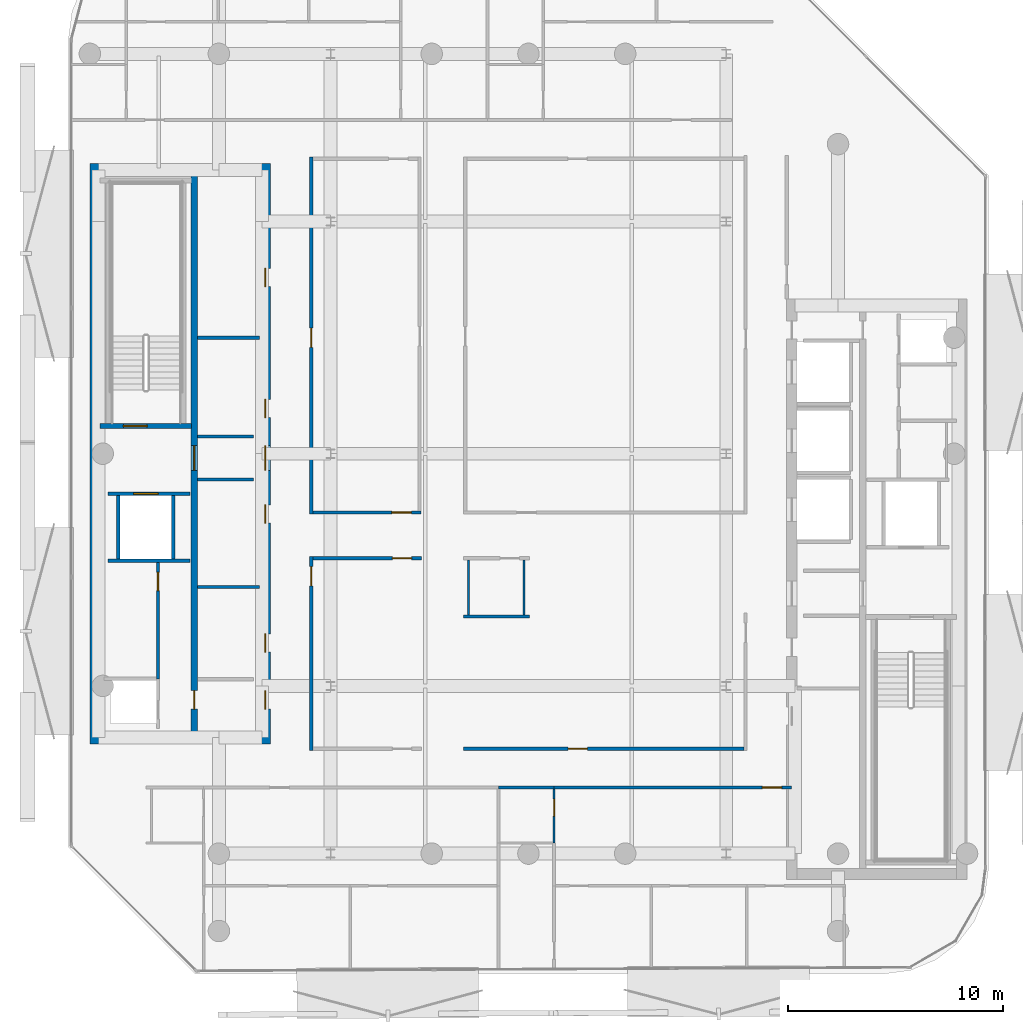
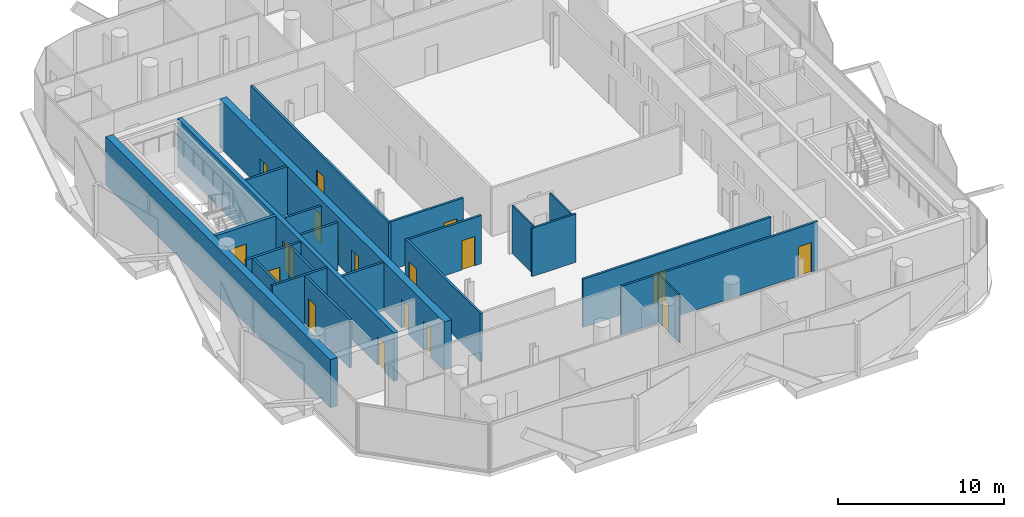
# One storey, part 5 of 15: 24 walls, 18 doors, 18 openings.
"""IFC4 building model written with IfcOpenShell, lengths in metres."""

from ifc_helpers import new_model, si_unit, direction, frame, frame_2d, origin, place, context, subcontext, project, spatial, rectangle, extrude, material, layer, layer_set, type_object, element, fill, save


model = new_model("IFC4")

# Units and contexts
model_context = context("Model", 3, precision=1e-05, world=origin(), true_north=direction((0.0, 1.0)))
body_context = subcontext(model_context, "Body", "Model", "MODEL_VIEW")
ifc_project = project(units=[si_unit("LENGTHUNIT", "METRE"), si_unit("AREAUNIT", "SQUARE_METRE"), si_unit("VOLUMEUNIT", "CUBIC_METRE"), si_unit("PLANEANGLEUNIT", "RADIAN"), si_unit("MASSUNIT", "GRAM", prefix="KILO")], contexts=[model_context])

# Site, building, storey
site_placement = place(None, origin())
site = spatial("IfcSite", under=ifc_project, at=site_placement, CompositionType="ELEMENT")
building_placement = place(site_placement, origin())
building = spatial("IfcBuilding", under=site, at=building_placement, Name="Khairoan Windgate Tower", CompositionType="ELEMENT")
storey_placement = place(building_placement, frame((0.0, 0.0, 285.199951171875)))
storey = spatial("IfcBuildingStorey", under=building, at=storey_placement, Name="L68", CompositionType="ELEMENT", Elevation=285.199951171875)

# Wall, opening, door
ifc_material_1 = material(Name="Moisture-Resistant Gypsum Partition", Category="gypsum")
ifc_layer_1 = layer(ifc_material_1, 0.10009765625, Name="Moisture-Resistant Gypsum Partition")
ifc_layer_set_1 = layer_set([ifc_layer_1], Name="Moisture-Resistant Gypsum Partition")
wall_type_1 = type_object("IfcWallType", Name="Bathroom Wet-Area Partition Wall", PredefinedType="PARTITIONING", material=ifc_layer_set_1)
wall_1_placement = place(storey_placement, frame((1.18994140625, -18.10009765625, 0.0), z_axis=(0.0, 0.0, 1.0), x_axis=(0.0, 1.0, 0.0)))
wall_1 = element("IfcWall", 1, at=wall_1_placement, inside=storey, type_object=wall_type_1, Name="L68 Interior Partition 067", PredefinedType="PARTITIONING", context=body_context, shape_type="SweptSolid", body=[
    extrude(rectangle(XDim=2.5, YDim=0.10009765625, at=frame_2d((1.25, 0.0))), origin(), (0.0, 0.0, 1.0), 3.5400390625),
])
opening_1_placement = place(wall_1_placement, frame((1.239990234375, 0.0, 0.0)))
opening_1 = element("IfcOpeningElement", 2, at=opening_1_placement, cuts=wall_1, Name="Opening ID-BTH", PredefinedType="OPENING", context=body_context, shape_type="SweptSolid", body=[
    extrude(rectangle(XDim=0.800048828125, YDim=2.10009765625, at=frame_2d((0.39990234375, 1.050048828125))), frame((0.0, 0.06005859375, 0.0), z_axis=(0.0, -1.0, 0.0), x_axis=(1.0, 0.0, 0.0)), (0.0, 0.0, 1.0), 0.1201171875),
])
ifc_material_2 = material(Name="Teak Veneer Timber Leaf", Category="wood")
door_type_1 = type_object("IfcDoorType", Name="Internal Bathroom Door ID-BTH 800x2100", OperationType="NOTDEFINED", PredefinedType="DOOR", material=ifc_material_2)
door_1_placement = place(opening_1_placement, origin())
door_1 = element("IfcDoor", 3, at=door_1_placement, inside=storey, type_object=door_type_1, Name="L68 L68-50-L68-52 Door", OperationType="SINGLE_SWING_RIGHT", OverallHeight=2.10009765625, OverallWidth=0.800048828125, PredefinedType="DOOR", context=body_context, shape_type="SweptSolid", body=[
    extrude(rectangle(XDim=0.800048828125, YDim=2.10009765625, at=frame_2d((0.39990234375, 1.050048828125))), frame((0.0, 0.02490234375, 0.0), z_axis=(0.0, -1.0, 0.0), x_axis=(1.0, 0.0, 0.0)), (0.0, 0.0, 1.0), 0.050048828125),
])
fill(opening_1, door_1)

# Walls
for number, where, z_axis, x_axis, name in (
    (4, (-0.199951171875, -4.93994140625, 0.0), (0.0, 0.0, 1.0), (0.0, -1.0, 0.0), "L68 Wet Room Side Wall 079"),
    (5, (-2.7900390625, -7.510009765625, 0.0), (0.0, 0.0, 1.0), (0.0, 1.0, 0.0), "L68 Wet Room Side Wall 080"),
):
    element("IfcWall", number, at=place(storey_placement, frame(where, z_axis=z_axis, x_axis=x_axis)), inside=storey, type_object=wall_type_1, Name=name, PredefinedType="PARTITIONING", context=body_context, shape_type="SweptSolid", body=[
        extrude(rectangle(XDim=2.570068359375, YDim=0.10009765625, at=frame_2d((1.28515625, 0.0))), origin(), (0.0, 0.0, 1.0), 3.5400390625),
    ])

# Wall, opening, door
ifc_material_3 = material(Name="Concrete C40/50", Category="concrete")
ifc_layer_2 = layer(ifc_material_3, 0.159912109375, Name="Concrete C40/50")
ifc_layer_set_2 = layer_set([ifc_layer_2], Name="Concrete C40/50")
wall_type_2 = type_object("IfcWallType", Name="Core and Hoistway Enclosure Wall", PredefinedType="STANDARD", material=ifc_layer_set_2)
wall_2_placement = place(storey_placement, frame((-19.550048828125, -1.860107421875, 0.0), z_axis=(0.0, 0.0, 1.0), x_axis=(1.0, 0.0, 0.0)))
wall_2 = element("IfcWall", 6, at=wall_2_placement, inside=storey, type_object=wall_type_2, Name="L68 Core Shaft Wall SW-FL2-L68", PredefinedType="STANDARD", context=body_context, shape_type="SweptSolid", body=[
    extrude(rectangle(XDim=3.800048828125, YDim=0.159912109375, at=frame_2d((1.89990234375, 0.0))), origin(), (0.0, 0.0, 1.0), 3.5400390625),
])
opening_2_placement = place(wall_2_placement, frame((1.179931640625, 0.0, 0.0)))
opening_2 = element("IfcOpeningElement", 7, at=opening_2_placement, cuts=wall_2, Name="Opening LD-FL", PredefinedType="OPENING", context=body_context, shape_type="SweptSolid", body=[
    extrude(rectangle(XDim=1.14990234375, YDim=2.199951171875, at=frame_2d((0.574951171875, 1.10009765625))), frame((0.0, 0.08984375, 0.0), z_axis=(0.0, -1.0, 0.0), x_axis=(1.0, 0.0, 0.0)), (0.0, 0.0, 1.0), 0.179931640625),
])
ifc_material_4 = material(Name="Steel S355", Category="steel")
door_type_2 = type_object("IfcDoorType", Name="Firefighting Lift Sliding Landing Door LD-FL 1150x2200", OperationType="DOUBLE_DOOR_SLIDING", PredefinedType="DOOR", material=ifc_material_4)
door_2_placement = place(opening_2_placement, origin())
door_2 = element("IfcDoor", 8, at=door_2_placement, inside=storey, type_object=door_type_2, Name="L68 Firefighting Lift FL2 Landing Door", OperationType="DOUBLE_DOOR_SLIDING", OverallHeight=2.199951171875, OverallWidth=1.14990234375, PredefinedType="DOOR", context=body_context, shape_type="SweptSolid", body=[
    extrude(rectangle(XDim=1.14990234375, YDim=2.199951171875, at=frame_2d((0.574951171875, 1.10009765625))), frame((0.0, 0.02490234375, 0.0), z_axis=(0.0, -1.0, 0.0), x_axis=(1.0, 0.0, 0.0)), (0.0, 0.0, 1.0), 0.050048828125),
])
fill(opening_2, door_2)

# Walls
wall_3_placement = place(storey_placement, frame((-19.550048828125, -4.97998046875, 0.0), z_axis=(0.0, 0.0, 1.0), x_axis=(1.0, 0.0, 0.0)))
element("IfcWall", 9, at=wall_3_placement, inside=storey, type_object=wall_type_2, Name="L68 Core Shaft Wall SW-FL2B-L68", PredefinedType="STANDARD", context=body_context, shape_type="SweptSolid", body=[
    extrude(rectangle(XDim=3.800048828125, YDim=0.159912109375, at=frame_2d((1.89990234375, 0.0))), origin(), (0.0, 0.0, 1.0), 3.5400390625),
])
for number, where, z_axis, x_axis, name in (
    (10, (-19.080078125, -4.89990234375, 0.0), (0.0, 0.0, 1.0), (0.0, 1.0, 0.0), "L68 Core Shaft Wall SW-FL2W-L68"),
    (11, (-16.52001953125, -4.89990234375, 0.0), (0.0, 0.0, 1.0), (0.0, 1.0, 0.0), "L68 Core Shaft Wall SW-FL2E-L68"),
):
    element("IfcWall", number, at=place(storey_placement, frame(where, z_axis=z_axis, x_axis=x_axis)), inside=storey, type_object=wall_type_2, Name=name, PredefinedType="STANDARD", context=body_context, shape_type="SweptSolid", body=[
        extrude(rectangle(XDim=2.9599609375, YDim=0.159912109375, at=frame_2d((1.47998046875, 0.0))), origin(), (0.0, 0.0, 1.0), 3.5400390625),
    ])
for number, where, z_axis, x_axis, name in (
    (12, (-15.39990234375, 0.800048828125, 0.0), (0.0, 0.0, 1.0), (1.0, 0.0, 0.0), "L68 Core Shaft Wall SW-WV1-L68"),
    (13, (-15.39990234375, -1.199951171875, 0.0), (0.0, 0.0, 1.0), (1.0, 0.0, 0.0), "L68 Core Shaft Wall SW-WV2-L68"),
):
    element("IfcWall", number, at=place(storey_placement, frame(where, z_axis=z_axis, x_axis=x_axis)), inside=storey, type_object=wall_type_2, Name=name, PredefinedType="STANDARD", context=body_context, shape_type="SweptSolid", body=[
        extrude(rectangle(XDim=2.599853515625, YDim=0.159912109375, at=frame_2d((1.2998046875, 0.0))), origin(), (0.0, 0.0, 1.0), 3.5400390625),
    ])
ifc_material_5 = material(Name="Acoustic Fire-Rated Gypsum Partition", Category="gypsum")
ifc_layer_3 = layer(ifc_material_5, 0.139892578125, Name="Acoustic Fire-Rated Gypsum Partition")
ifc_layer_set_3 = layer_set([ifc_layer_3], Name="Acoustic Fire-Rated Gypsum Partition")
wall_type_3 = type_object("IfcWallType", Name="Inter-Tenancy Compartment Wall", PredefinedType="PARTITIONING", material=ifc_layer_set_3)
wall_4_placement = place(storey_placement, frame((-3.030029296875, -7.580078125, 0.0), z_axis=(0.0, 0.0, 1.0), x_axis=(1.0, 0.0, 0.0)))
element("IfcWall", 14, at=wall_4_placement, inside=storey, type_object=wall_type_3, Name="L68 Interior Partition 076", PredefinedType="PARTITIONING", context=body_context, shape_type="SweptSolid", body=[
    extrude(rectangle(XDim=3.070068359375, YDim=0.139892578125, at=frame_2d((1.53515625, 0.0))), origin(), (0.0, 0.0, 1.0), 3.5400390625),
])

# Wall, opening, door
ifc_material_6 = material(Name="Concrete C40/50", Category="concrete")
ifc_layer_4 = layer(ifc_material_6, 0.159912109375, Name="Concrete C40/50")
ifc_layer_set_4 = layer_set([ifc_layer_4], Name="Concrete C40/50")
wall_type_4 = type_object("IfcWallType", Name="Plant and Refuge Compartment Wall", PredefinedType="PARTITIONING", material=ifc_layer_set_4)
wall_5_placement = place(storey_placement, frame((-17.22998046875, -10.469970703125, 0.0), z_axis=(0.0, 0.0, 1.0), x_axis=(0.0, 1.0, 0.0)))
wall_5 = element("IfcWall", 15, at=wall_5_placement, inside=storey, type_object=wall_type_4, Name="L68 Interior Partition 002", PredefinedType="PARTITIONING", context=body_context, shape_type="SweptSolid", body=[
    extrude(rectangle(XDim=5.409912109375, YDim=0.159912109375, at=frame_2d((2.705078125, 0.0))), origin(), (0.0, 0.0, 1.0), 3.5400390625),
])
opening_3_placement = place(wall_5_placement, frame((4.10009765625, 0.0, 0.0)))
opening_3 = element("IfcOpeningElement", 16, at=opening_3_placement, cuts=wall_5, Name="Opening FD-SRV", PredefinedType="OPENING", context=body_context, shape_type="SweptSolid", body=[
    extrude(rectangle(XDim=0.85009765625, YDim=2.10009765625, at=frame_2d((0.425048828125, 1.050048828125))), frame((0.0, 0.08984375, 0.0), z_axis=(0.0, -1.0, 0.0), x_axis=(1.0, 0.0, 0.0)), (0.0, 0.0, 1.0), 0.179931640625),
])
ifc_material_7 = material(Name="Steel S355", Category="steel")
door_type_3 = type_object("IfcDoorType", Name="Core Service and Riser Fire Door FD-SRV 850x2100", OperationType="NOTDEFINED", PredefinedType="DOOR", material=ifc_material_7)
door_3_placement = place(opening_3_placement, origin())
door_3 = element("IfcDoor", 17, at=door_3_placement, inside=storey, type_object=door_type_3, Name="L68 L68-04-L68-06 Door", OperationType="SINGLE_SWING_LEFT", OverallHeight=2.10009765625, OverallWidth=0.85009765625, PredefinedType="DOOR", context=body_context, shape_type="SweptSolid", body=[
    extrude(rectangle(XDim=0.85009765625, YDim=2.10009765625, at=frame_2d((0.425048828125, 1.050048828125))), frame((0.0, 0.02490234375, 0.0), z_axis=(0.0, -1.0, 0.0), x_axis=(1.0, 0.0, 0.0)), (0.0, 0.0, 1.0), 0.050048828125),
])
fill(opening_3, door_3)

# Walls
for number, where, z_axis, x_axis, name in (
    (18, (-15.39990234375, 5.39990234375, 0.0), (0.0, 0.0, 1.0), (1.0, 0.0, 0.0), "L68 Interior Partition 004"),
    (19, (-15.39990234375, -6.199951171875, 0.0), (0.0, 0.0, 1.0), (1.0, 0.0, 0.0), "L68 Interior Partition 005"),
):
    element("IfcWall", number, at=place(storey_placement, frame(where, z_axis=z_axis, x_axis=x_axis)), inside=storey, type_object=wall_type_4, Name=name, PredefinedType="PARTITIONING", context=body_context, shape_type="SweptSolid", body=[
        extrude(rectangle(XDim=2.89990234375, YDim=0.159912109375, at=frame_2d((1.449951171875, 0.0))), origin(), (0.0, 0.0, 1.0), 3.5400390625),
    ])

# Wall, opening, door
ifc_material_8 = material(Name="Acoustic Fire-Rated Gypsum Partition", Category="gypsum")
ifc_layer_5 = layer(ifc_material_8, 0.14990234375, Name="Acoustic Fire-Rated Gypsum Partition")
ifc_layer_set_5 = layer_set([ifc_layer_5], Name="Acoustic Fire-Rated Gypsum Partition")
wall_type_5 = type_object("IfcWallType", Name="Rated Corridor Partition Wall", PredefinedType="PARTITIONING", material=ifc_layer_set_5)
wall_6_placement = place(storey_placement, frame((-10.10009765625, -2.81005859375, 0.0), z_axis=(0.0, 0.0, 1.0), x_axis=(0.0, 1.0, 0.0)))
wall_6 = element("IfcWall", 20, at=wall_6_placement, inside=storey, type_object=wall_type_5, Name="L68 Interior Partition 012", PredefinedType="PARTITIONING", context=body_context, shape_type="SweptSolid", body=[
    extrude(rectangle(XDim=16.60498046875, YDim=0.14990234375, at=frame_2d((8.302490234375, 0.0))), origin(), (0.0, 0.0, 1.0), 3.5400390625),
])
opening_4_placement = place(wall_6_placement, frame((7.751220703125, 0.0, 0.0)))
opening_4 = element("IfcOpeningElement", 21, at=opening_4_placement, cuts=wall_6, Name="Opening FD-ENT", PredefinedType="OPENING", context=body_context, shape_type="SweptSolid", body=[
    extrude(rectangle(XDim=0.89990234375, YDim=2.14990234375, at=frame_2d((0.449951171875, 1.074951171875))), frame((0.0, 0.0849609375, 0.0), z_axis=(0.0, -1.0, 0.0), x_axis=(1.0, 0.0, 0.0)), (0.0, 0.0, 1.0), 0.169921875),
])
ifc_material_9 = material(Name="Timber Fire-Rated Core", Category="wood")
door_type_4 = type_object("IfcDoorType", Name="Unit and Office Fire Entrance Door FD-ENT 900x2150", OperationType="NOTDEFINED", PredefinedType="DOOR", material=ifc_material_9)
door_4_placement = place(opening_4_placement, origin())
door_4 = element("IfcDoor", 22, at=door_4_placement, inside=storey, type_object=door_type_4, Name="L68 L68-27-L68-58 Door", OperationType="SINGLE_SWING_LEFT", OverallHeight=2.14990234375, OverallWidth=0.89990234375, PredefinedType="DOOR", context=body_context, shape_type="SweptSolid", body=[
    extrude(rectangle(XDim=0.89990234375, YDim=2.14990234375, at=frame_2d((0.449951171875, 1.074951171875))), frame((0.0, 0.02490234375, 0.0), z_axis=(0.0, -1.0, 0.0), x_axis=(1.0, 0.0, 0.0)), (0.0, 0.0, 1.0), 0.050048828125),
])
fill(opening_4, door_4)

wall_7_placement = place(storey_placement, frame((-10.10009765625, -13.794921875, 0.0), z_axis=(0.0, 0.0, 1.0), x_axis=(0.0, 1.0, 0.0)))
wall_7 = element("IfcWall", 23, at=wall_7_placement, inside=storey, type_object=wall_type_5, Name="L68 Interior Partition 013", PredefinedType="PARTITIONING", context=body_context, shape_type="SweptSolid", body=[
    extrude(rectangle(XDim=9.0048828125, YDim=0.14990234375, at=frame_2d((4.50244140625, 0.0))), origin(), (0.0, 0.0, 1.0), 3.5400390625),
])
opening_5_placement = place(wall_7_placement, frame((7.64501953125, 0.0, 0.0)))
opening_5 = element("IfcOpeningElement", 24, at=opening_5_placement, cuts=wall_7, Name="Opening FD-ENT", PredefinedType="OPENING", context=body_context, shape_type="SweptSolid", body=[
    extrude(rectangle(XDim=0.89990234375, YDim=2.14990234375, at=frame_2d((0.449951171875, 1.074951171875))), frame((0.0, 0.0849609375, 0.0), z_axis=(0.0, -1.0, 0.0), x_axis=(1.0, 0.0, 0.0)), (0.0, 0.0, 1.0), 0.169921875),
])
door_5_placement = place(opening_5_placement, origin())
door_5 = element("IfcDoor", 25, at=door_5_placement, inside=storey, type_object=door_type_4, Name="L68 L68-27-L68-59 Door", OperationType="SINGLE_SWING_RIGHT", OverallHeight=2.14990234375, OverallWidth=0.89990234375, PredefinedType="DOOR", context=body_context, shape_type="SweptSolid", body=[
    extrude(rectangle(XDim=0.89990234375, YDim=2.14990234375, at=frame_2d((0.449951171875, 1.074951171875))), frame((0.0, 0.02490234375, 0.0), z_axis=(0.0, -1.0, 0.0), x_axis=(1.0, 0.0, 0.0)), (0.0, 0.0, 1.0), 0.050048828125),
])
fill(opening_5, door_5)

wall_8_placement = place(storey_placement, frame((-10.02490234375, -2.735107421875, 0.0), z_axis=(0.0, 0.0, 1.0), x_axis=(1.0, 0.0, 0.0)))
wall_8 = element("IfcWall", 26, at=wall_8_placement, inside=storey, type_object=wall_type_5, Name="L68 Interior Partition 017", PredefinedType="PARTITIONING", context=body_context, shape_type="SweptSolid", body=[
    extrude(rectangle(XDim=5.034912109375, YDim=0.14990234375, at=frame_2d((2.517578125, 0.0))), origin(), (0.0, 0.0, 1.0), 3.5400390625),
])
opening_6_placement = place(wall_8_placement, frame((3.675048828125, 0.0, 0.0)))
opening_6 = element("IfcOpeningElement", 27, at=opening_6_placement, cuts=wall_8, Name="Opening FD-ENT", PredefinedType="OPENING", context=body_context, shape_type="SweptSolid", body=[
    extrude(rectangle(XDim=0.89990234375, YDim=2.14990234375, at=frame_2d((0.449951171875, 1.074951171875))), frame((0.0, 0.0849609375, 0.0), z_axis=(0.0, -1.0, 0.0), x_axis=(1.0, 0.0, 0.0)), (0.0, 0.0, 1.0), 0.169921875),
])
door_6_placement = place(opening_6_placement, origin())
door_6 = element("IfcDoor", 28, at=door_6_placement, inside=storey, type_object=door_type_4, Name="L68 L68-29-L68-58 Door", OperationType="SINGLE_SWING_RIGHT", OverallHeight=2.14990234375, OverallWidth=0.89990234375, PredefinedType="DOOR", context=body_context, shape_type="SweptSolid", body=[
    extrude(rectangle(XDim=0.89990234375, YDim=2.14990234375, at=frame_2d((0.449951171875, 1.074951171875))), frame((0.0, 0.02490234375, 0.0), z_axis=(0.0, -1.0, 0.0), x_axis=(1.0, 0.0, 0.0)), (0.0, 0.0, 1.0), 0.050048828125),
])
fill(opening_6, door_6)

wall_9_placement = place(storey_placement, frame((-10.02490234375, -4.864990234375, 0.0), z_axis=(0.0, 0.0, 1.0), x_axis=(1.0, 0.0, 0.0)))
wall_9 = element("IfcWall", 29, at=wall_9_placement, inside=storey, type_object=wall_type_5, Name="L68 Interior Partition 018", PredefinedType="PARTITIONING", context=body_context, shape_type="SweptSolid", body=[
    extrude(rectangle(XDim=5.054931640625, YDim=0.14990234375, at=frame_2d((2.52734375, 0.0))), origin(), (0.0, 0.0, 1.0), 3.5400390625),
])
opening_7_placement = place(wall_9_placement, frame((3.695068359375, 0.0, 0.0)))
opening_7 = element("IfcOpeningElement", 30, at=opening_7_placement, cuts=wall_9, Name="Opening FD-ENT", PredefinedType="OPENING", context=body_context, shape_type="SweptSolid", body=[
    extrude(rectangle(XDim=0.89990234375, YDim=2.14990234375, at=frame_2d((0.449951171875, 1.074951171875))), frame((0.0, 0.0849609375, 0.0), z_axis=(0.0, -1.0, 0.0), x_axis=(1.0, 0.0, 0.0)), (0.0, 0.0, 1.0), 0.169921875),
])
door_7_placement = place(opening_7_placement, origin())
door_7 = element("IfcDoor", 31, at=door_7_placement, inside=storey, type_object=door_type_4, Name="L68 L68-29-L68-59 Door", OperationType="SINGLE_SWING_LEFT", OverallHeight=2.14990234375, OverallWidth=0.89990234375, PredefinedType="DOOR", context=body_context, shape_type="SweptSolid", body=[
    extrude(rectangle(XDim=0.89990234375, YDim=2.14990234375, at=frame_2d((0.449951171875, 1.074951171875))), frame((0.0, 0.02490234375, 0.0), z_axis=(0.0, -1.0, 0.0), x_axis=(1.0, 0.0, 0.0)), (0.0, 0.0, 1.0), 0.050048828125),
])
fill(opening_7, door_7)

# Wall
wall_10_placement = place(storey_placement, frame((-1.39990234375, -15.52490234375, 0.0), z_axis=(0.0, 0.0, 1.0), x_axis=(1.0, 0.0, 0.0)))
element("IfcWall", 32, at=wall_10_placement, inside=storey, type_object=wall_type_5, Name="L68 Interior Partition 032", PredefinedType="PARTITIONING", context=body_context, shape_type="SweptSolid", body=[
    extrude(rectangle(XDim=2.58984375, YDim=0.14990234375, at=frame_2d((1.294921875, 0.0))), origin(), (0.0, 0.0, 1.0), 3.5400390625),
])

# Wall, opening, door
wall_11_placement = place(storey_placement, frame((1.18994140625, -15.52490234375, 0.0), z_axis=(0.0, 0.0, 1.0), x_axis=(1.0, 0.0, 0.0)))
wall_11 = element("IfcWall", 33, at=wall_11_placement, inside=storey, type_object=wall_type_5, Name="L68 Interior Partition 033", PredefinedType="PARTITIONING", context=body_context, shape_type="SweptSolid", body=[
    extrude(rectangle(XDim=11.050048828125, YDim=0.14990234375, at=frame_2d((5.52490234375, 0.0))), origin(), (0.0, 0.0, 1.0), 3.5400390625),
])
opening_8_placement = place(wall_11_placement, frame((9.68994140625, 0.0, 0.0)))
opening_8 = element("IfcOpeningElement", 34, at=opening_8_placement, cuts=wall_11, Name="Opening FD-ENT", PredefinedType="OPENING", context=body_context, shape_type="SweptSolid", body=[
    extrude(rectangle(XDim=0.89990234375, YDim=2.14990234375, at=frame_2d((0.449951171875, 1.074951171875))), frame((0.0, 0.0849609375, 0.0), z_axis=(0.0, -1.0, 0.0), x_axis=(1.0, 0.0, 0.0)), (0.0, 0.0, 1.0), 0.169921875),
])
door_8_placement = place(opening_8_placement, origin())
door_8 = element("IfcDoor", 35, at=door_8_placement, inside=storey, type_object=door_type_4, Name="L68 L68-32-L68-52 Door", OperationType="SINGLE_SWING_LEFT", OverallHeight=2.14990234375, OverallWidth=0.89990234375, PredefinedType="DOOR", context=body_context, shape_type="SweptSolid", body=[
    extrude(rectangle(XDim=0.89990234375, YDim=2.14990234375, at=frame_2d((0.449951171875, 1.074951171875))), frame((0.0, 0.02490234375, 0.0), z_axis=(0.0, -1.0, 0.0), x_axis=(1.0, 0.0, 0.0)), (0.0, 0.0, 1.0), 0.050048828125),
])
fill(opening_8, door_8)

wall_12_placement = place(storey_placement, frame((-3.030029296875, -13.719970703125, 0.0), z_axis=(0.0, 0.0, 1.0), x_axis=(1.0, 0.0, 0.0)))
wall_12 = element("IfcWall", 36, at=wall_12_placement, inside=storey, type_object=wall_type_5, Name="L68 Interior Partition 035", PredefinedType="PARTITIONING", context=body_context, shape_type="SweptSolid", body=[
    extrude(rectangle(XDim=13.054931640625, YDim=0.14990234375, at=frame_2d((6.52734375, 0.0))), origin(), (0.0, 0.0, 1.0), 3.5400390625),
])
opening_9_placement = place(wall_12_placement, frame((4.873779296875, 0.0, 0.0)))
opening_9 = element("IfcOpeningElement", 37, at=opening_9_placement, cuts=wall_12, Name="Opening FD-ENT", PredefinedType="OPENING", context=body_context, shape_type="SweptSolid", body=[
    extrude(rectangle(XDim=0.89990234375, YDim=2.14990234375, at=frame_2d((0.449951171875, 1.074951171875))), frame((0.0, 0.0849609375, 0.0), z_axis=(0.0, -1.0, 0.0), x_axis=(1.0, 0.0, 0.0)), (0.0, 0.0, 1.0), 0.169921875),
])
door_9_placement = place(opening_9_placement, origin())
door_9 = element("IfcDoor", 38, at=door_9_placement, inside=storey, type_object=door_type_4, Name="L68 L68-32-L68-62 Door", OperationType="SINGLE_SWING_LEFT", OverallHeight=2.14990234375, OverallWidth=0.89990234375, PredefinedType="DOOR", context=body_context, shape_type="SweptSolid", body=[
    extrude(rectangle(XDim=0.89990234375, YDim=2.14990234375, at=frame_2d((0.449951171875, 1.074951171875))), frame((0.0, 0.02490234375, 0.0), z_axis=(0.0, -1.0, 0.0), x_axis=(1.0, 0.0, 0.0)), (0.0, 0.0, 1.0), 0.050048828125),
])
fill(opening_9, door_9)

# Wall
ifc_material_10 = material(Name="Concrete C50/60", Category="concrete")
ifc_layer_6 = layer(ifc_material_10, 0.5, Name="Concrete C50/60")
ifc_layer_set_6 = layer_set([ifc_layer_6], Name="Concrete C50/60")
wall_type_6 = type_object("IfcWallType", Name="Shear Wall CW-W3 500mm", PredefinedType="SHEAR", material=ifc_layer_set_6)
wall_13_placement = place(storey_placement, frame((-20.14990234375, -13.5, 0.0), z_axis=(0.0, 0.0, 1.0), x_axis=(0.0, 1.0, 0.0)))
element("IfcWall", 39, at=wall_13_placement, inside=storey, type_object=wall_type_6, Name="W Core West Shear Wall L68", PredefinedType="SHEAR", context=body_context, shape_type="SweptSolid", body=[
    extrude(rectangle(XDim=27.0, YDim=0.5, at=frame_2d((13.5, 0.0))), origin(), (0.0, 0.0, 1.0), 3.5400390625),
])

# Wall, openings, doors
wall_14_placement = place(storey_placement, frame((-12.25, -13.5, 0.0), z_axis=(0.0, 0.0, 1.0), x_axis=(0.0, 1.0, 0.0)))
wall_14 = element("IfcWall", 40, at=wall_14_placement, inside=storey, type_object=wall_type_6, Name="W Core East Shear Wall L68", PredefinedType="SHEAR", context=body_context, shape_type="SweptSolid", body=[
    extrude(rectangle(XDim=27.0, YDim=0.5, at=frame_2d((13.5, 0.0))), origin(), (0.0, 0.0, 1.0), 3.5400390625),
])
opening_10_placement = place(wall_14_placement, frame((15.175048828125, 0.0, 0.0)))
opening_10 = element("IfcOpeningElement", 41, at=opening_10_placement, cuts=wall_14, Name="Opening FD-SRV", PredefinedType="OPENING", context=body_context, shape_type="SweptSolid", body=[
    extrude(rectangle(XDim=0.85009765625, YDim=2.10009765625, at=frame_2d((0.425048828125, 1.050048828125))), frame((0.0, 0.260009765625, 0.0), z_axis=(0.0, -1.0, 0.0), x_axis=(1.0, 0.0, 0.0)), (0.0, 0.0, 1.0), 0.52001953125),
])
opening_11_placement = place(wall_14_placement, frame((21.27490234375, 0.0, 0.0)))
opening_11 = element("IfcOpeningElement", 42, at=opening_11_placement, cuts=wall_14, Name="Opening FD-SRV", PredefinedType="OPENING", context=body_context, shape_type="SweptSolid", body=[
    extrude(rectangle(XDim=0.85009765625, YDim=2.10009765625, at=frame_2d((0.425048828125, 1.050048828125))), frame((0.0, 0.260009765625, 0.0), z_axis=(0.0, -1.0, 0.0), x_axis=(1.0, 0.0, 0.0)), (0.0, 0.0, 1.0), 0.52001953125),
])
opening_12_placement = place(wall_14_placement, frame((4.27490234375, 0.0, 0.0)))
opening_12 = element("IfcOpeningElement", 43, at=opening_12_placement, cuts=wall_14, Name="Opening FD-SRV", PredefinedType="OPENING", context=body_context, shape_type="SweptSolid", body=[
    extrude(rectangle(XDim=0.85009765625, YDim=2.10009765625, at=frame_2d((0.425048828125, 1.050048828125))), frame((0.0, 0.260009765625, 0.0), z_axis=(0.0, -1.0, 0.0), x_axis=(1.0, 0.0, 0.0)), (0.0, 0.0, 1.0), 0.52001953125),
])
opening_13_placement = place(wall_14_placement, frame((10.27490234375, 0.0, 0.0)))
opening_13 = element("IfcOpeningElement", 44, at=opening_13_placement, cuts=wall_14, Name="Opening FD-SRV", PredefinedType="OPENING", context=body_context, shape_type="SweptSolid", body=[
    extrude(rectangle(XDim=0.85009765625, YDim=2.10009765625, at=frame_2d((0.425048828125, 1.050048828125))), frame((0.0, 0.260009765625, 0.0), z_axis=(0.0, -1.0, 0.0), x_axis=(1.0, 0.0, 0.0)), (0.0, 0.0, 1.0), 0.52001953125),
])
opening_14_placement = place(wall_14_placement, frame((12.72509765625, 0.0, 0.0)))
opening_14 = element("IfcOpeningElement", 45, at=opening_14_placement, cuts=wall_14, Name="Opening FD-FFL", PredefinedType="OPENING", context=body_context, shape_type="SweptSolid", body=[
    extrude(rectangle(XDim=1.14990234375, YDim=2.199951171875, at=frame_2d((0.574951171875, 1.10009765625))), frame((0.0, 0.260009765625, 0.0), z_axis=(0.0, -1.0, 0.0), x_axis=(1.0, 0.0, 0.0)), (0.0, 0.0, 1.0), 0.52001953125),
])
opening_15_placement = place(wall_14_placement, frame((1.625, 0.0, 0.0)))
opening_15 = element("IfcOpeningElement", 46, at=opening_15_placement, cuts=wall_14, Name="Opening FD-SRV", PredefinedType="OPENING", context=body_context, shape_type="SweptSolid", body=[
    extrude(rectangle(XDim=0.85009765625, YDim=2.10009765625, at=frame_2d((0.425048828125, 1.050048828125))), frame((0.0, 0.260009765625, 0.0), z_axis=(0.0, -1.0, 0.0), x_axis=(1.0, 0.0, 0.0)), (0.0, 0.0, 1.0), 0.52001953125),
])
door_10_placement = place(opening_10_placement, origin())
door_10 = element("IfcDoor", 47, at=door_10_placement, inside=storey, type_object=door_type_3, Name="L68 Upper Core Room Door B1-1", OperationType="SINGLE_SWING_RIGHT", OverallHeight=2.10009765625, OverallWidth=0.85009765625, PredefinedType="DOOR", context=body_context, shape_type="SweptSolid", body=[
    extrude(rectangle(XDim=0.85009765625, YDim=2.10009765625, at=frame_2d((0.425048828125, 1.050048828125))), frame((0.0, 0.02490234375, 0.0), z_axis=(0.0, -1.0, 0.0), x_axis=(1.0, 0.0, 0.0)), (0.0, 0.0, 1.0), 0.050048828125),
])
fill(opening_10, door_10)
door_11_placement = place(opening_11_placement, origin())
door_11 = element("IfcDoor", 48, at=door_11_placement, inside=storey, type_object=door_type_3, Name="L68 Upper Core Room Door B1-2", OperationType="SINGLE_SWING_LEFT", OverallHeight=2.10009765625, OverallWidth=0.85009765625, PredefinedType="DOOR", context=body_context, shape_type="SweptSolid", body=[
    extrude(rectangle(XDim=0.85009765625, YDim=2.10009765625, at=frame_2d((0.425048828125, 1.050048828125))), frame((0.0, 0.02490234375, 0.0), z_axis=(0.0, -1.0, 0.0), x_axis=(1.0, 0.0, 0.0)), (0.0, 0.0, 1.0), 0.050048828125),
])
fill(opening_11, door_11)
door_12_placement = place(opening_12_placement, origin())
door_12 = element("IfcDoor", 49, at=door_12_placement, inside=storey, type_object=door_type_3, Name="L68 Upper Core Room Door B2-1", OperationType="SINGLE_SWING_RIGHT", OverallHeight=2.10009765625, OverallWidth=0.85009765625, PredefinedType="DOOR", context=body_context, shape_type="SweptSolid", body=[
    extrude(rectangle(XDim=0.85009765625, YDim=2.10009765625, at=frame_2d((0.425048828125, 1.050048828125))), frame((0.0, 0.02490234375, 0.0), z_axis=(0.0, -1.0, 0.0), x_axis=(1.0, 0.0, 0.0)), (0.0, 0.0, 1.0), 0.050048828125),
])
fill(opening_12, door_12)
door_13_placement = place(opening_13_placement, origin())
door_13 = element("IfcDoor", 50, at=door_13_placement, inside=storey, type_object=door_type_3, Name="L68 Upper Core Room Door B2-2", OperationType="SINGLE_SWING_LEFT", OverallHeight=2.10009765625, OverallWidth=0.85009765625, PredefinedType="DOOR", context=body_context, shape_type="SweptSolid", body=[
    extrude(rectangle(XDim=0.85009765625, YDim=2.10009765625, at=frame_2d((0.425048828125, 1.050048828125))), frame((0.0, 0.02490234375, 0.0), z_axis=(0.0, -1.0, 0.0), x_axis=(1.0, 0.0, 0.0)), (0.0, 0.0, 1.0), 0.050048828125),
])
fill(opening_13, door_13)
door_14_placement = place(opening_15_placement, origin())
door_14 = element("IfcDoor", 51, at=door_14_placement, inside=storey, type_object=door_type_3, Name="L68 West Core Service Vestibule Outer Door", OperationType="SINGLE_SWING_RIGHT", OverallHeight=2.10009765625, OverallWidth=0.85009765625, PredefinedType="DOOR", context=body_context, shape_type="SweptSolid", body=[
    extrude(rectangle(XDim=0.85009765625, YDim=2.10009765625, at=frame_2d((0.425048828125, 1.050048828125))), frame((0.0, 0.02490234375, 0.0), z_axis=(0.0, -1.0, 0.0), x_axis=(1.0, 0.0, 0.0)), (0.0, 0.0, 1.0), 0.050048828125),
])
fill(opening_15, door_14)
ifc_material_11 = material(Name="Steel S355", Category="steel")
door_type_5 = type_object("IfcDoorType", Name="Firefighting Lobby Fire Door FD-FFL 1150x2200", OperationType="NOTDEFINED", PredefinedType="DOOR", material=ifc_material_11)
door_15_placement = place(opening_14_placement, origin())
door_15 = element("IfcDoor", 52, at=door_15_placement, inside=storey, type_object=door_type_5, Name="L68 West Core Vestibule Entry Door", OperationType="SINGLE_SWING_RIGHT", OverallHeight=2.199951171875, OverallWidth=1.14990234375, PredefinedType="DOOR", context=body_context, shape_type="SweptSolid", body=[
    extrude(rectangle(XDim=1.14990234375, YDim=2.199951171875, at=frame_2d((0.574951171875, 1.10009765625))), frame((0.0, 0.02490234375, 0.0), z_axis=(0.0, -1.0, 0.0), x_axis=(1.0, 0.0, 0.0)), (0.0, 0.0, 1.0), 0.050048828125),
])
fill(opening_14, door_15)

ifc_material_12 = material(Name="Concrete C50/60", Category="concrete")
ifc_layer_7 = layer(ifc_material_12, 0.300048828125, Name="Concrete C50/60")
ifc_layer_set_7 = layer_set([ifc_layer_7], Name="Concrete C50/60")
wall_type_7 = type_object("IfcWallType", Name="Shear Wall SW-2 300mm", PredefinedType="SHEAR", material=ifc_layer_set_7)
wall_15_placement = place(storey_placement, frame((-15.550048828125, -13.0, 0.0), z_axis=(0.0, 0.0, 1.0), x_axis=(0.0, 1.0, 0.0)))
wall_15 = element("IfcWall", 53, at=wall_15_placement, inside=storey, type_object=wall_type_7, Name="W Core Spine Shear Wall L68", PredefinedType="SHEAR", context=body_context, shape_type="SweptSolid", body=[
    extrude(rectangle(XDim=26.0, YDim=0.300048828125, at=frame_2d((13.0, 0.0))), origin(), (0.0, 0.0, 1.0), 3.5400390625),
])
opening_16_placement = place(wall_15_placement, frame((12.22509765625, 0.0, 0.0)))
opening_16 = element("IfcOpeningElement", 54, at=opening_16_placement, cuts=wall_15, Name="Opening FD-FFL", PredefinedType="OPENING", context=body_context, shape_type="SweptSolid", body=[
    extrude(rectangle(XDim=1.14990234375, YDim=2.199951171875, at=frame_2d((0.574951171875, 1.10009765625))), frame((0.0, 0.159912109375, 0.0), z_axis=(0.0, -1.0, 0.0), x_axis=(1.0, 0.0, 0.0)), (0.0, 0.0, 1.0), 0.320068359375),
])
opening_17_placement = place(wall_15_placement, frame((1.125, 0.0, 0.0)))
opening_17 = element("IfcOpeningElement", 55, at=opening_17_placement, cuts=wall_15, Name="Opening FD-SRV", PredefinedType="OPENING", context=body_context, shape_type="SweptSolid", body=[
    extrude(rectangle(XDim=0.85009765625, YDim=2.10009765625, at=frame_2d((0.425048828125, 1.050048828125))), frame((0.0, 0.159912109375, 0.0), z_axis=(0.0, -1.0, 0.0), x_axis=(1.0, 0.0, 0.0)), (0.0, 0.0, 1.0), 0.320068359375),
])
door_16_placement = place(opening_17_placement, origin())
door_16 = element("IfcDoor", 56, at=door_16_placement, inside=storey, type_object=door_type_3, Name="L68 West Core Service Passage Inner Door", OperationType="SINGLE_SWING_LEFT", OverallHeight=2.10009765625, OverallWidth=0.85009765625, PredefinedType="DOOR", context=body_context, shape_type="SweptSolid", body=[
    extrude(rectangle(XDim=0.85009765625, YDim=2.10009765625, at=frame_2d((0.425048828125, 1.050048828125))), frame((0.0, 0.02490234375, 0.0), z_axis=(0.0, -1.0, 0.0), x_axis=(1.0, 0.0, 0.0)), (0.0, 0.0, 1.0), 0.050048828125),
])
fill(opening_17, door_16)
door_17_placement = place(opening_16_placement, origin())
door_17 = element("IfcDoor", 57, at=door_17_placement, inside=storey, type_object=door_type_5, Name="L68 West Firefighting Lobby Fire Door", OperationType="SINGLE_SWING_LEFT", OverallHeight=2.199951171875, OverallWidth=1.14990234375, PredefinedType="DOOR", context=body_context, shape_type="SweptSolid", body=[
    extrude(rectangle(XDim=1.14990234375, YDim=2.199951171875, at=frame_2d((0.574951171875, 1.10009765625))), frame((0.0, 0.02490234375, 0.0), z_axis=(0.0, -1.0, 0.0), x_axis=(1.0, 0.0, 0.0)), (0.0, 0.0, 1.0), 0.050048828125),
])
fill(opening_16, door_17)

# Wall, opening, door
ifc_material_13 = material(Name="Concrete C50/60", Category="concrete")
ifc_layer_8 = layer(ifc_material_13, 0.219970703125, Name="Concrete C50/60")
ifc_layer_set_8 = layer_set([ifc_layer_8], Name="Concrete C50/60")
wall_type_8 = type_object("IfcWallType", Name="Shear Wall SW-ST 220mm", PredefinedType="SHEAR", material=ifc_layer_set_8)
wall_16_placement = place(storey_placement, frame((-19.919921875, 1.2900390625, 0.0), z_axis=(0.0, 0.0, 1.0), x_axis=(1.0, 0.0, 0.0)))
wall_16 = element("IfcWall", 58, at=wall_16_placement, inside=storey, type_object=wall_type_8, Name="L68 Stair ST2 South Bearing Wall", PredefinedType="SHEAR", context=body_context, shape_type="SweptSolid", body=[
    extrude(rectangle(XDim=4.239990234375, YDim=0.219970703125, at=frame_2d((2.1201171875, 0.0))), origin(), (0.0, 0.0, 1.0), 3.5400390625),
])
opening_18_placement = place(wall_16_placement, frame((1.080078125, 0.0, 0.0)))
opening_18 = element("IfcOpeningElement", 59, at=opening_18_placement, cuts=wall_16, Name="Opening FD-ST", PredefinedType="OPENING", context=body_context, shape_type="SweptSolid", body=[
    extrude(rectangle(XDim=1.10009765625, YDim=2.199951171875, at=frame_2d((0.550048828125, 1.10009765625))), frame((0.0, 0.119873046875, 0.0), z_axis=(0.0, -1.0, 0.0), x_axis=(1.0, 0.0, 0.0)), (0.0, 0.0, 1.0), 0.239990234375),
])
ifc_material_14 = material(Name="Steel S355", Category="steel")
door_type_6 = type_object("IfcDoorType", Name="Smokeproof Stair Fire Door FD-ST 1100x2200", OperationType="NOTDEFINED", PredefinedType="DOOR", material=ifc_material_14)
door_18_placement = place(opening_18_placement, origin())
door_18 = element("IfcDoor", 60, at=door_18_placement, inside=storey, type_object=door_type_6, Name="L68 Stair ST2 Fire Door", OperationType="SINGLE_SWING_LEFT", OverallHeight=2.199951171875, OverallWidth=1.10009765625, PredefinedType="DOOR", context=body_context, shape_type="SweptSolid", body=[
    extrude(rectangle(XDim=1.10009765625, YDim=2.199951171875, at=frame_2d((0.550048828125, 1.10009765625))), frame((0.0, 0.02490234375, 0.0), z_axis=(0.0, -1.0, 0.0), x_axis=(1.0, 0.0, 0.0)), (0.0, 0.0, 1.0), 0.050048828125),
])
fill(opening_18, door_18)

save(model, "model.ifc")
